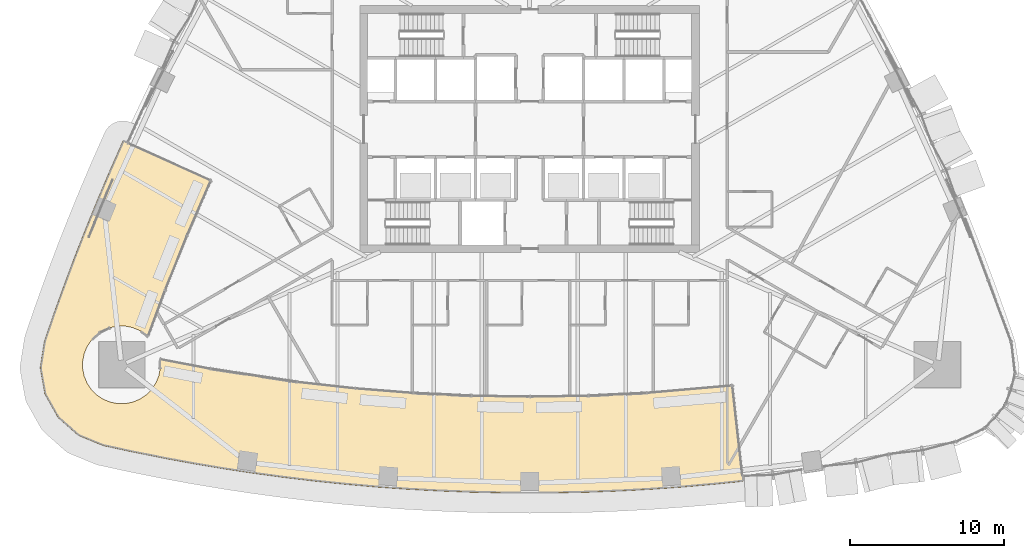
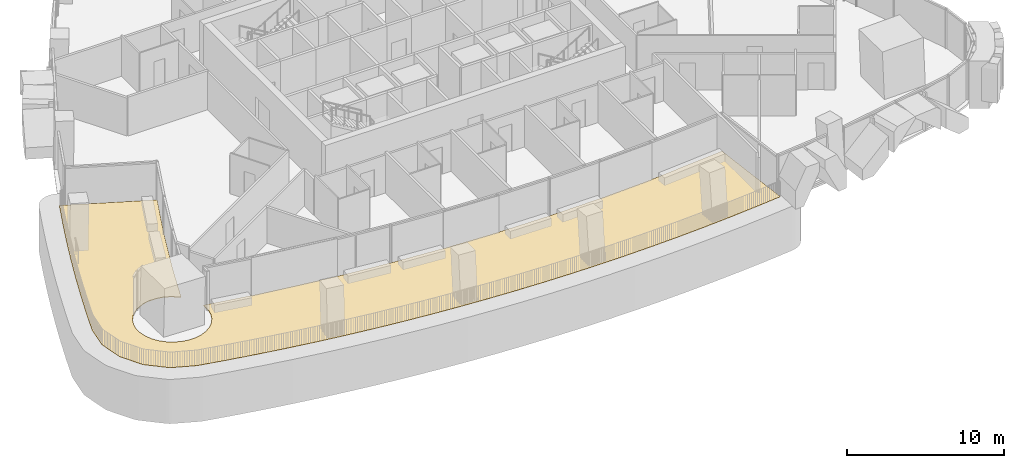
# One storey, part 17 of 22: 1 covering.
"""IFC4 building model written with IfcOpenShell, lengths in metres."""

from ifc_helpers import new_model, si_unit, direction, frame, origin, place, context, subcontext, project, spatial, polyline, outline, extrude, material, layer, layer_set, type_object, element, save


model = new_model("IFC4")

# Units and contexts
model_context = context("Model", 3, precision=1e-05, world=origin(), true_north=direction((0.0, 1.0)))
body_context = subcontext(model_context, "Body", "Model", "MODEL_VIEW")
ifc_project = project(units=[si_unit("LENGTHUNIT", "METRE"), si_unit("AREAUNIT", "SQUARE_METRE"), si_unit("VOLUMEUNIT", "CUBIC_METRE"), si_unit("PLANEANGLEUNIT", "RADIAN"), si_unit("MASSUNIT", "GRAM", prefix="KILO")], contexts=[model_context])

# Site, building, storey
site_placement = place(None, origin())
site = spatial("IfcSite", under=ifc_project, at=site_placement, CompositionType="ELEMENT")
building_placement = place(site_placement, origin())
building = spatial("IfcBuilding", under=site, at=building_placement, Name="Sierra Prisma Convention Tower", CompositionType="ELEMENT")
storey_placement = place(building_placement, frame((0.0, 0.0, 73.89990234375)))
storey = spatial("IfcBuildingStorey", under=building, at=storey_placement, Name="L14", CompositionType="ELEMENT", Elevation=73.89990234375)

# Covering
ifc_material = material(Name="Porcelain stoneware paving", Category="masonry")
ifc_layer = layer(ifc_material, 0.0400390625)
ifc_layer_set = layer_set([ifc_layer], Name="Terrace paving")
covering_type = type_object("IfcCoveringType", Name="Terrace paving", PredefinedType="FLOORING", material=ifc_layer_set)
covering_placement = place(storey_placement, origin())
element("IfcCovering", 1, at=covering_placement, inside=storey, type_object=covering_type, Name="Terrace paving L14", PredefinedType="FLOORING", context=body_context, shape_type="SweptSolid", body=[
    extrude(outline(polyline([(-26.354248046875, -0.7568359375), (-26.390380859375, -0.8349609375), (-27.191650390625, -2.64697265625), (-27.967041015625, -4.469970703125), (-28.716552734375, -6.303955078125), (-29.43994140625, -8.148193359375), (-30.136962890625, -10.002685546875), (-30.807373046875, -11.866943359375), (-31.451416015625, -13.740478515625), (-31.72314453125, -15.46044921875), (-31.4150390625, -17.174072265625), (-30.561279296875, -18.691650390625), (-29.256591796875, -19.844482421875), (-27.6455078125, -20.505126953125), (-25.699951171875, -20.927978515625), (-23.748046875, -21.31982421875), (-21.7900390625, -21.680908203125), (-19.82666015625, -22.0107421875), (-17.858154296875, -22.309326171875), (-15.88525390625, -22.57666015625), (-13.908203125, -22.812744140625), (-11.927978515625, -23.017578125), (-9.944580078125, -23.19091796875), (-7.95849609375, -23.332763671875), (-5.970703125, -23.443115234375), (-3.981201171875, -23.52197265625), (-1.990966796875, -23.5693359375), (0.0, -23.585205078125), (1.990966796875, -23.5693359375), (3.981201171875, -23.52197265625), (5.970703125, -23.443115234375), (7.95849609375, -23.332763671875), (9.944580078125, -23.19091796875), (11.927978515625, -23.017578125), (13.8173828125, -22.822265625), (13.132080078125, -16.609130859375), (7.5625, -17.09521484375), (3.783203125, -17.275146484375), (0.0, -17.3349609375), (-3.783203125, -17.275146484375), (-7.5625, -17.09521484375), (-11.33447265625, -16.795654296875), (-15.0947265625, -16.376708984375), (-20.705810546875, -15.525390625), (-23.95849609375, -14.90283203125), (-23.9404296875, -15.517822265625), (-24.036865234375, -16.002685546875), (-24.22607421875, -16.459228515625), (-24.500732421875, -16.8701171875), (-24.85009765625, -17.2197265625), (-25.26123046875, -17.494384765625), (-25.7177734375, -17.68359375), (-26.20263671875, -17.77978515625), (-26.69677734375, -17.77978515625), (-27.181640625, -17.68359375), (-27.63818359375, -17.494384765625), (-28.049072265625, -17.2197265625), (-28.398681640625, -16.8701171875), (-28.67333984375, -16.459228515625), (-28.862548828125, -16.002685546875), (-28.958740234375, -15.517822265625), (-28.958740234375, -15.023681640625), (-28.862548828125, -14.538818359375), (-28.67333984375, -14.082275390625), (-28.398681640625, -13.671142578125), (-27.850341796875, -13.17431640625), (-27.181640625, -12.85791015625), (-26.69677734375, -12.761474609375), (-26.20263671875, -12.761474609375), (-25.7177734375, -12.85791015625), (-25.26123046875, -13.047119140625), (-24.728271484375, -13.43212890625), (-23.60498046875, -10.388671875), (-22.198486328125, -6.87548828125), (-20.657470703125, -3.327392578125), (-26.354248046875, -0.7568359375)])), origin(), (0.0, 0.0, 1.0), 0.0400390625),
])

save(model, "model.ifc")
